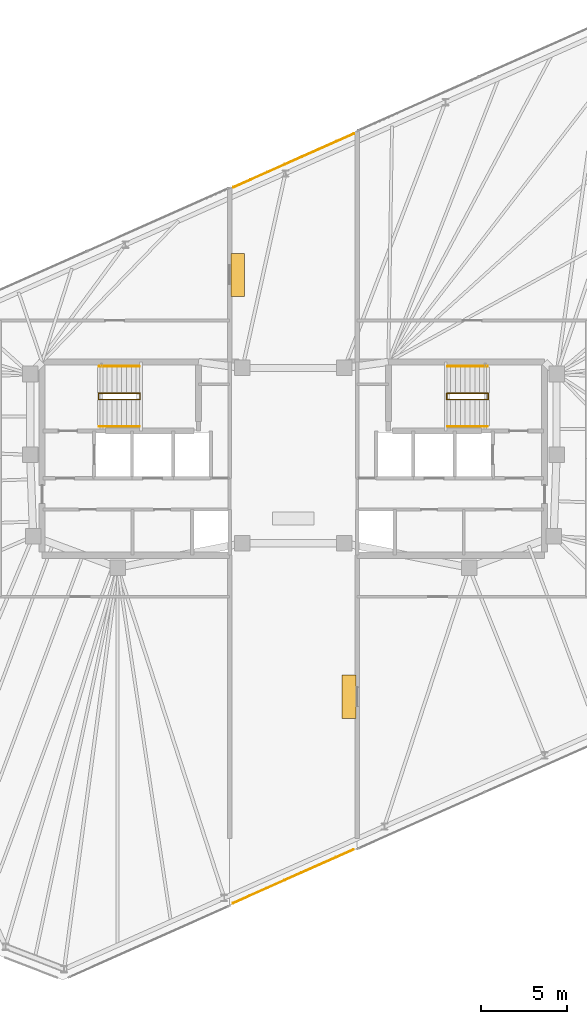
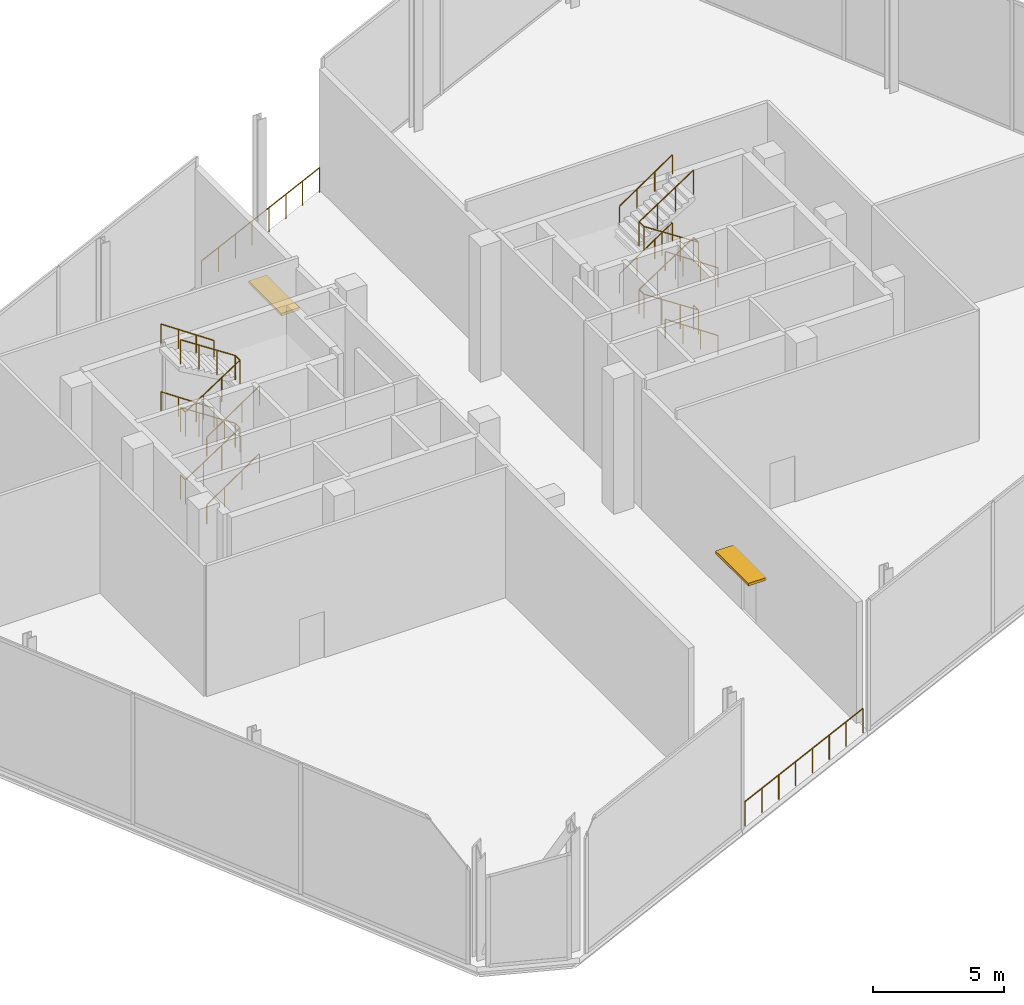
# One storey, part 16 of 16: 14 railings, 2 shading devices.
"""IFC4 building model written with IfcOpenShell, lengths in metres."""

from ifc_helpers import new_model, si_unit, direction, frame, origin, origin_2d, place, context, subcontext, project, spatial, rectangle, circle, extrude, material, layer, layer_set, type_object, element, save


model = new_model("IFC4")

# Units and contexts
model_context = context("Model", 3, precision=1e-05, world=origin(), true_north=direction((0.0, 1.0)))
body_context = subcontext(model_context, "Body", "Model", "MODEL_VIEW")
ifc_project = project(units=[si_unit("LENGTHUNIT", "METRE"), si_unit("AREAUNIT", "SQUARE_METRE"), si_unit("VOLUMEUNIT", "CUBIC_METRE"), si_unit("PLANEANGLEUNIT", "RADIAN"), si_unit("MASSUNIT", "GRAM", prefix="KILO")], contexts=[model_context])

# Site, building, storey
site_placement = place(None, origin())
site = spatial("IfcSite", under=ifc_project, at=site_placement, CompositionType="ELEMENT")
building_placement = place(site_placement, origin())
building = spatial("IfcBuilding", under=site, at=building_placement, Name="Menara Jurai Vektor", CompositionType="ELEMENT")
storey_placement = place(building_placement, frame((0.0, 0.0, 275.60009765625)))
storey = spatial("IfcBuildingStorey", under=building, at=storey_placement, Name="L74", CompositionType="ELEMENT", Elevation=275.60009765625)

# Railings
ifc_material_1 = material(Name="Anodised Pale Aluminium & Laminated Glass Guardrail", Category="aluminium")
ifc_layer = layer(ifc_material_1, 0.070068359375)
ifc_layer_set = layer_set([ifc_layer], Name="Anodised Pale Aluminium & Laminated Glass Guardrail")
railing_type_1 = type_object("IfcRailingType", Name="ENV-RAIL-TER115", PredefinedType="GUARDRAIL", material=ifc_layer_set)
railing_1_placement = place(storey_placement, frame((3.50439453125, 18.82421875, 0.0)))
element("IfcRailing", 1, at=railing_1_placement, inside=storey, type_object=railing_type_1, Name="Spiral Terrace Guardrail L74-PORTAL-01", PredefinedType="GUARDRAIL", context=body_context, shape_type="SweptSolid", body=[
    extrude(circle(Radius=0.02392578125, at=origin_2d()), frame((0.0, 0.0, 1.1259765625), z_axis=(-0.913542517891, -0.406743245801, 0.0), x_axis=(0.406743245801, -0.913542517891, 0.0)), (0.0, 0.0, 1.0), 7.6396484375),
    extrude(circle(Radius=0.02099609375, at=origin_2d()), origin(), (0.0, 0.0, 1.0), 1.101806640625),
    extrude(circle(Radius=0.02099609375, at=origin_2d()), frame((-0.9970703125, -0.44384765625, 0.0)), (0.0, 0.0, 1.0), 1.101806640625),
    extrude(circle(Radius=0.02099609375, at=origin_2d()), frame((-1.994140625, -0.887939453125, 0.0)), (0.0, 0.0, 1.0), 1.101806640625),
    extrude(circle(Radius=0.02099609375, at=origin_2d()), frame((-2.9912109375, -1.331787109375, 0.0)), (0.0, 0.0, 1.0), 1.101806640625),
    extrude(circle(Radius=0.02099609375, at=origin_2d()), frame((-3.988037109375, -1.775634765625, 0.0)), (0.0, 0.0, 1.0), 1.101806640625),
    extrude(circle(Radius=0.02099609375, at=origin_2d()), frame((-4.985107421875, -2.219482421875, 0.0)), (0.0, 0.0, 1.0), 1.101806640625),
    extrude(circle(Radius=0.02099609375, at=origin_2d()), frame((-5.982177734375, -2.66357421875, 0.0)), (0.0, 0.0, 1.0), 1.101806640625),
    extrude(circle(Radius=0.02099609375, at=origin_2d()), frame((-6.979248046875, -3.107421875, 0.0)), (0.0, 0.0, 1.0), 1.101806640625),
])
railing_2_placement = place(storey_placement, frame((-3.50439453125, -25.76123046875, 0.0)))
element("IfcRailing", 2, at=railing_2_placement, inside=storey, type_object=railing_type_1, Name="Spiral Terrace Guardrail L74-PORTAL-02", PredefinedType="GUARDRAIL", context=body_context, shape_type="SweptSolid", body=[
    extrude(circle(Radius=0.02392578125, at=origin_2d()), frame((0.0, 0.0, 1.1259765625), z_axis=(0.913542517891, 0.406743245801, 0.0), x_axis=(-0.406743245801, 0.913542517891, 0.0)), (0.0, 0.0, 1.0), 7.6396484375),
    extrude(circle(Radius=0.02099609375, at=origin_2d()), origin(), (0.0, 0.0, 1.0), 1.101806640625),
    extrude(circle(Radius=0.02099609375, at=origin_2d()), frame((0.9970703125, 0.44384765625, 0.0)), (0.0, 0.0, 1.0), 1.101806640625),
    extrude(circle(Radius=0.02099609375, at=origin_2d()), frame((1.994140625, 0.887939453125, 0.0)), (0.0, 0.0, 1.0), 1.101806640625),
    extrude(circle(Radius=0.02099609375, at=origin_2d()), frame((2.9912109375, 1.331787109375, 0.0)), (0.0, 0.0, 1.0), 1.101806640625),
    extrude(circle(Radius=0.02099609375, at=origin_2d()), frame((3.988037109375, 1.775634765625, 0.0)), (0.0, 0.0, 1.0), 1.101806640625),
    extrude(circle(Radius=0.02099609375, at=origin_2d()), frame((4.985107421875, 2.219482421875, 0.0)), (0.0, 0.0, 1.0), 1.101806640625),
    extrude(circle(Radius=0.02099609375, at=origin_2d()), frame((5.982177734375, 2.66357421875, 0.0)), (0.0, 0.0, 1.0), 1.101806640625),
    extrude(circle(Radius=0.02099609375, at=origin_2d()), frame((6.979248046875, 3.107421875, 0.0)), (0.0, 0.0, 1.0), 1.101806640625),
])

# Shading devices
ifc_material_2 = material(Name="Anodised Pale Aluminium Sunshade Blade", Category="aluminium")
shading_device_type = type_object("IfcShadingDeviceType", Name="ENV-SHD-SUNSHADE", PredefinedType="USERDEFINED", material=ifc_material_2)
for number, where, z_axis, x_axis, name in (
    (3, (-3.219970703125, 10.64111328125, 2.43994140625), (0.0, 0.0, 1.0), (0.0, 1.0, 0.0), "Doorway Pale-Metal Sunshade L74-WP1"),
    (4, (3.219970703125, -13.800048828125, 2.43994140625), (0.0, 0.0, 1.0), (0.0, 1.0, 0.0), "Doorway Pale-Metal Sunshade L74-WP2"),
):
    element("IfcShadingDevice", number, at=place(storey_placement, frame(where, z_axis=z_axis, x_axis=x_axis)), inside=storey, type_object=shading_device_type, Name=name, ObjectType="SUNSHADE", PredefinedType="USERDEFINED", context=body_context, shape_type="SweptSolid", body=[
        extrude(rectangle(XDim=2.5, YDim=0.800048828125, at=origin_2d()), origin(), (0.0, 0.0, 1.0), 0.1201171875),
    ])

# Railings
ifc_material_3 = material(Name="Painted Galvanised Steel Balustrade", Category="steel")
railing_type_2 = type_object("IfcRailingType", Name="RAIL-STAIR-GUARD", PredefinedType="GUARDRAIL", material=ifc_material_3)
railing_3_placement = place(storey_placement, frame((-11.2900390625, 3.780029296875, 0.0)))
element("IfcRailing", 5, at=railing_3_placement, inside=storey, type_object=railing_type_2, Name="ST1 Stair Guardrail 1 L74", PredefinedType="GUARDRAIL", context=body_context, shape_type="SweptSolid", body=[
    extrude(circle(Radius=0.02392578125, at=origin_2d()), frame((0.0, 0.0, 1.1259765625), z_axis=(0.0, -1.0, 0.0), x_axis=(1.0, 0.0, 0.0)), (0.0, 0.0, 1.0), 0.360107421875),
    extrude(circle(Radius=0.02392578125, at=origin_2d()), frame((0.0, -0.360107421875, 1.1259765625), z_axis=(0.836071072344, 0.0, 0.548621146139), x_axis=(0.0, 1.0, 0.0)), (0.0, 0.0, 1.0), 2.870849609375),
    extrude(circle(Radius=0.02392578125, at=origin_2d()), frame((2.400146484375, -0.360107421875, 2.70068359375), z_axis=(0.0, 1.0, 0.0), x_axis=(-1.0, 0.0, 0.0)), (0.0, 0.0, 1.0), 0.360107421875),
    extrude(circle(Radius=0.02392578125, at=origin_2d()), frame((2.400146484375, 0.0, 2.70068359375), z_axis=(-0.836071072344, 0.0, 0.548621146139), x_axis=(0.0, -1.0, 0.0)), (0.0, 0.0, 1.0), 2.870849609375),
    extrude(circle(Radius=0.02099609375, at=origin_2d()), origin(), (0.0, 0.0, 1.0), 1.101806640625),
    extrude(circle(Radius=0.02099609375, at=origin_2d()), frame((0.0, -0.360107421875, 0.0)), (0.0, 0.0, 1.0), 1.101806640625),
    extrude(circle(Radius=0.02099609375, at=origin_2d()), frame((0.800048828125, -0.360107421875, 0.52490234375)), (0.0, 0.0, 1.0), 1.101806640625),
    extrude(circle(Radius=0.02099609375, at=origin_2d()), frame((1.60009765625, -0.360107421875, 1.050048828125)), (0.0, 0.0, 1.0), 1.101806640625),
    extrude(circle(Radius=0.02099609375, at=origin_2d()), frame((2.400146484375, -0.360107421875, 1.574951171875)), (0.0, 0.0, 1.0), 1.101806640625),
    extrude(circle(Radius=0.02099609375, at=origin_2d()), frame((2.400146484375, 0.0, 1.574951171875)), (0.0, 0.0, 1.0), 1.101806640625),
    extrude(circle(Radius=0.02099609375, at=origin_2d()), frame((1.60009765625, 0.0, 2.099853515625)), (0.0, 0.0, 1.0), 1.101806640625),
    extrude(circle(Radius=0.02099609375, at=origin_2d()), frame((0.800048828125, 0.0, 2.625)), (0.0, 0.0, 1.0), 1.101806640625),
    extrude(circle(Radius=0.02099609375, at=origin_2d()), frame((0.0, 0.0, 3.14990234375)), (0.0, 0.0, 1.0), 1.101806640625),
])
railing_4_placement = place(storey_placement, frame((-11.2900390625, 3.780029296875, 3.14990234375)))
element("IfcRailing", 6, at=railing_4_placement, inside=storey, type_object=railing_type_2, Name="ST1 Stair Guardrail 2 L74", PredefinedType="GUARDRAIL", context=body_context, shape_type="SweptSolid", body=[
    extrude(circle(Radius=0.02392578125, at=origin_2d()), frame((0.0, 0.0, 1.1259765625), z_axis=(0.0, -1.0, 0.0), x_axis=(1.0, 0.0, 0.0)), (0.0, 0.0, 1.0), 0.360107421875),
    extrude(circle(Radius=0.02392578125, at=origin_2d()), frame((0.0, -0.360107421875, 1.1259765625), z_axis=(0.836071072344, 0.0, 0.548621146139), x_axis=(0.0, 1.0, 0.0)), (0.0, 0.0, 1.0), 2.870849609375),
    extrude(circle(Radius=0.02392578125, at=origin_2d()), frame((2.400146484375, -0.360107421875, 2.70068359375), z_axis=(0.0, 1.0, 0.0), x_axis=(-1.0, 0.0, 0.0)), (0.0, 0.0, 1.0), 0.360107421875),
    extrude(circle(Radius=0.02392578125, at=origin_2d()), frame((2.400146484375, 0.0, 2.70068359375), z_axis=(-0.836071072344, 0.0, 0.548621146139), x_axis=(0.0, -1.0, 0.0)), (0.0, 0.0, 1.0), 2.870849609375),
    extrude(circle(Radius=0.02099609375, at=origin_2d()), origin(), (0.0, 0.0, 1.0), 1.101806640625),
    extrude(circle(Radius=0.02099609375, at=origin_2d()), frame((0.0, -0.360107421875, 0.0)), (0.0, 0.0, 1.0), 1.101806640625),
    extrude(circle(Radius=0.02099609375, at=origin_2d()), frame((0.800048828125, -0.360107421875, 0.52490234375)), (0.0, 0.0, 1.0), 1.101806640625),
    extrude(circle(Radius=0.02099609375, at=origin_2d()), frame((1.60009765625, -0.360107421875, 1.050048828125)), (0.0, 0.0, 1.0), 1.101806640625),
    extrude(circle(Radius=0.02099609375, at=origin_2d()), frame((2.400146484375, -0.360107421875, 1.574951171875)), (0.0, 0.0, 1.0), 1.101806640625),
    extrude(circle(Radius=0.02099609375, at=origin_2d()), frame((2.400146484375, 0.0, 1.574951171875)), (0.0, 0.0, 1.0), 1.101806640625),
    extrude(circle(Radius=0.02099609375, at=origin_2d()), frame((1.60009765625, 0.0, 2.099853515625)), (0.0, 0.0, 1.0), 1.101806640625),
    extrude(circle(Radius=0.02099609375, at=origin_2d()), frame((0.800048828125, 0.0, 2.625)), (0.0, 0.0, 1.0), 1.101806640625),
    extrude(circle(Radius=0.02099609375, at=origin_2d()), frame((0.0, 0.0, 3.14990234375)), (0.0, 0.0, 1.0), 1.101806640625),
])
railing_5_placement = place(storey_placement, frame((11.2900390625, 3.780029296875, 0.0)))
element("IfcRailing", 7, at=railing_5_placement, inside=storey, type_object=railing_type_2, Name="ST2 Stair Guardrail 1 L74", PredefinedType="GUARDRAIL", context=body_context, shape_type="SweptSolid", body=[
    extrude(circle(Radius=0.02392578125, at=origin_2d()), frame((0.0, 0.0, 1.1259765625), z_axis=(0.0, -1.0, 0.0), x_axis=(1.0, 0.0, 0.0)), (0.0, 0.0, 1.0), 0.360107421875),
    extrude(circle(Radius=0.02392578125, at=origin_2d()), frame((0.0, -0.360107421875, 1.1259765625), z_axis=(-0.836071072344, 0.0, 0.548621146139), x_axis=(0.0, -1.0, 0.0)), (0.0, 0.0, 1.0), 2.870849609375),
    extrude(circle(Radius=0.02392578125, at=origin_2d()), frame((-2.400146484375, -0.360107421875, 2.70068359375), z_axis=(0.0, 1.0, 0.0), x_axis=(-1.0, 0.0, 0.0)), (0.0, 0.0, 1.0), 0.360107421875),
    extrude(circle(Radius=0.02392578125, at=origin_2d()), frame((-2.400146484375, 0.0, 2.70068359375), z_axis=(0.836071072344, 0.0, 0.548621146139), x_axis=(0.0, 1.0, 0.0)), (0.0, 0.0, 1.0), 2.870849609375),
    extrude(circle(Radius=0.02099609375, at=origin_2d()), origin(), (0.0, 0.0, 1.0), 1.101806640625),
    extrude(circle(Radius=0.02099609375, at=origin_2d()), frame((0.0, -0.360107421875, 0.0)), (0.0, 0.0, 1.0), 1.101806640625),
    extrude(circle(Radius=0.02099609375, at=origin_2d()), frame((-0.800048828125, -0.360107421875, 0.52490234375)), (0.0, 0.0, 1.0), 1.101806640625),
    extrude(circle(Radius=0.02099609375, at=origin_2d()), frame((-1.60009765625, -0.360107421875, 1.050048828125)), (0.0, 0.0, 1.0), 1.101806640625),
    extrude(circle(Radius=0.02099609375, at=origin_2d()), frame((-2.400146484375, -0.360107421875, 1.574951171875)), (0.0, 0.0, 1.0), 1.101806640625),
    extrude(circle(Radius=0.02099609375, at=origin_2d()), frame((-2.400146484375, 0.0, 1.574951171875)), (0.0, 0.0, 1.0), 1.101806640625),
    extrude(circle(Radius=0.02099609375, at=origin_2d()), frame((-1.60009765625, 0.0, 2.099853515625)), (0.0, 0.0, 1.0), 1.101806640625),
    extrude(circle(Radius=0.02099609375, at=origin_2d()), frame((-0.800048828125, 0.0, 2.625)), (0.0, 0.0, 1.0), 1.101806640625),
    extrude(circle(Radius=0.02099609375, at=origin_2d()), frame((0.0, 0.0, 3.14990234375)), (0.0, 0.0, 1.0), 1.101806640625),
])
railing_6_placement = place(storey_placement, frame((11.2900390625, 3.780029296875, 3.14990234375)))
element("IfcRailing", 8, at=railing_6_placement, inside=storey, type_object=railing_type_2, Name="ST2 Stair Guardrail 2 L74", PredefinedType="GUARDRAIL", context=body_context, shape_type="SweptSolid", body=[
    extrude(circle(Radius=0.02392578125, at=origin_2d()), frame((0.0, 0.0, 1.1259765625), z_axis=(0.0, -1.0, 0.0), x_axis=(1.0, 0.0, 0.0)), (0.0, 0.0, 1.0), 0.360107421875),
    extrude(circle(Radius=0.02392578125, at=origin_2d()), frame((0.0, -0.360107421875, 1.1259765625), z_axis=(-0.836071072344, 0.0, 0.548621146139), x_axis=(0.0, -1.0, 0.0)), (0.0, 0.0, 1.0), 2.870849609375),
    extrude(circle(Radius=0.02392578125, at=origin_2d()), frame((-2.400146484375, -0.360107421875, 2.70068359375), z_axis=(0.0, 1.0, 0.0), x_axis=(-1.0, 0.0, 0.0)), (0.0, 0.0, 1.0), 0.360107421875),
    extrude(circle(Radius=0.02392578125, at=origin_2d()), frame((-2.400146484375, 0.0, 2.70068359375), z_axis=(0.836071072344, 0.0, 0.548621146139), x_axis=(0.0, 1.0, 0.0)), (0.0, 0.0, 1.0), 2.870849609375),
    extrude(circle(Radius=0.02099609375, at=origin_2d()), origin(), (0.0, 0.0, 1.0), 1.101806640625),
    extrude(circle(Radius=0.02099609375, at=origin_2d()), frame((0.0, -0.360107421875, 0.0)), (0.0, 0.0, 1.0), 1.101806640625),
    extrude(circle(Radius=0.02099609375, at=origin_2d()), frame((-0.800048828125, -0.360107421875, 0.52490234375)), (0.0, 0.0, 1.0), 1.101806640625),
    extrude(circle(Radius=0.02099609375, at=origin_2d()), frame((-1.60009765625, -0.360107421875, 1.050048828125)), (0.0, 0.0, 1.0), 1.101806640625),
    extrude(circle(Radius=0.02099609375, at=origin_2d()), frame((-2.400146484375, -0.360107421875, 1.574951171875)), (0.0, 0.0, 1.0), 1.101806640625),
    extrude(circle(Radius=0.02099609375, at=origin_2d()), frame((-2.400146484375, 0.0, 1.574951171875)), (0.0, 0.0, 1.0), 1.101806640625),
    extrude(circle(Radius=0.02099609375, at=origin_2d()), frame((-1.60009765625, 0.0, 2.099853515625)), (0.0, 0.0, 1.0), 1.101806640625),
    extrude(circle(Radius=0.02099609375, at=origin_2d()), frame((-0.800048828125, 0.0, 2.625)), (0.0, 0.0, 1.0), 1.101806640625),
    extrude(circle(Radius=0.02099609375, at=origin_2d()), frame((0.0, 0.0, 3.14990234375)), (0.0, 0.0, 1.0), 1.101806640625),
])
ifc_material_4 = material(Name="Brushed Stainless Steel Handrail", Category="steel")
railing_type_3 = type_object("IfcRailingType", Name="RAIL-STAIR-HAND", PredefinedType="HANDRAIL", material=ifc_material_4)
railing_7_placement = place(storey_placement, frame((-11.25, 1.860107421875, 0.0)))
element("IfcRailing", 9, at=railing_7_placement, inside=storey, type_object=railing_type_3, Name="ST1 Stair Handrail 1 L74", PredefinedType="HANDRAIL", context=body_context, shape_type="SweptSolid", body=[
    extrude(circle(Radius=0.02392578125, at=origin_2d()), frame((0.0, 0.0, 0.89599609375), z_axis=(0.82737318425, 0.0, 0.561652574092), x_axis=(0.0, 1.0, 0.0)), (0.0, 0.0, 1.0), 2.80419921875),
    extrude(circle(Radius=0.02099609375, at=origin_2d()), origin(), (0.0, 0.0, 1.0), 0.871826171875),
    extrude(circle(Radius=0.02099609375, at=origin_2d()), frame((0.7734375, 0.0, 0.52490234375)), (0.0, 0.0, 1.0), 0.871826171875),
    extrude(circle(Radius=0.02099609375, at=origin_2d()), frame((1.546630859375, 0.0, 1.050048828125)), (0.0, 0.0, 1.0), 0.871826171875),
    extrude(circle(Radius=0.02099609375, at=origin_2d()), frame((2.320068359375, 0.0, 1.574951171875)), (0.0, 0.0, 1.0), 0.871826171875),
])
railing_8_placement = place(storey_placement, frame((-8.929931640625, 5.340087890625, 1.574951171875)))
element("IfcRailing", 10, at=railing_8_placement, inside=storey, type_object=railing_type_3, Name="ST1 Stair Handrail 2 L74", PredefinedType="HANDRAIL", context=body_context, shape_type="SweptSolid", body=[
    extrude(circle(Radius=0.02392578125, at=origin_2d()), frame((0.0, 0.0, 0.89599609375), z_axis=(-0.82737318425, 0.0, 0.561652574092), x_axis=(0.0, -1.0, 0.0)), (0.0, 0.0, 1.0), 2.80419921875),
    extrude(circle(Radius=0.02099609375, at=origin_2d()), origin(), (0.0, 0.0, 1.0), 0.871826171875),
    extrude(circle(Radius=0.02099609375, at=origin_2d()), frame((-0.7734375, 0.0, 0.52490234375)), (0.0, 0.0, 1.0), 0.871826171875),
    extrude(circle(Radius=0.02099609375, at=origin_2d()), frame((-1.546630859375, 0.0, 1.050048828125)), (0.0, 0.0, 1.0), 0.871826171875),
    extrude(circle(Radius=0.02099609375, at=origin_2d()), frame((-2.320068359375, 0.0, 1.574951171875)), (0.0, 0.0, 1.0), 0.871826171875),
])
railing_9_placement = place(storey_placement, frame((-11.25, 1.860107421875, 3.14990234375)))
element("IfcRailing", 11, at=railing_9_placement, inside=storey, type_object=railing_type_3, Name="ST1 Stair Handrail 3 L74", PredefinedType="HANDRAIL", context=body_context, shape_type="SweptSolid", body=[
    extrude(circle(Radius=0.02392578125, at=origin_2d()), frame((0.0, 0.0, 0.89599609375), z_axis=(0.82737318425, 0.0, 0.561652574092), x_axis=(0.0, 1.0, 0.0)), (0.0, 0.0, 1.0), 2.80419921875),
    extrude(circle(Radius=0.02099609375, at=origin_2d()), origin(), (0.0, 0.0, 1.0), 0.871826171875),
    extrude(circle(Radius=0.02099609375, at=origin_2d()), frame((0.7734375, 0.0, 0.52490234375)), (0.0, 0.0, 1.0), 0.871826171875),
    extrude(circle(Radius=0.02099609375, at=origin_2d()), frame((1.546630859375, 0.0, 1.050048828125)), (0.0, 0.0, 1.0), 0.871826171875),
    extrude(circle(Radius=0.02099609375, at=origin_2d()), frame((2.320068359375, 0.0, 1.574951171875)), (0.0, 0.0, 1.0), 0.871826171875),
])
for number, where, name in (
    (12, (-8.929931640625, 5.340087890625, 4.724853515625), "ST1 Stair Handrail 4 L74"),
    (13, (11.25, 1.860107421875, 0.0), "ST2 Stair Handrail 1 L74"),
):
    element("IfcRailing", number, at=place(storey_placement, frame(where)), inside=storey, type_object=railing_type_3, Name=name, PredefinedType="HANDRAIL", context=body_context, shape_type="SweptSolid", body=[
        extrude(circle(Radius=0.02392578125, at=origin_2d()), frame((0.0, 0.0, 0.89599609375), z_axis=(-0.82737318425, 0.0, 0.561652574092), x_axis=(0.0, -1.0, 0.0)), (0.0, 0.0, 1.0), 2.80419921875),
        extrude(circle(Radius=0.02099609375, at=origin_2d()), origin(), (0.0, 0.0, 1.0), 0.871826171875),
        extrude(circle(Radius=0.02099609375, at=origin_2d()), frame((-0.7734375, 0.0, 0.52490234375)), (0.0, 0.0, 1.0), 0.871826171875),
        extrude(circle(Radius=0.02099609375, at=origin_2d()), frame((-1.546630859375, 0.0, 1.050048828125)), (0.0, 0.0, 1.0), 0.871826171875),
        extrude(circle(Radius=0.02099609375, at=origin_2d()), frame((-2.320068359375, 0.0, 1.574951171875)), (0.0, 0.0, 1.0), 0.871826171875),
    ])
railing_10_placement = place(storey_placement, frame((8.929931640625, 5.340087890625, 1.574951171875)))
element("IfcRailing", 14, at=railing_10_placement, inside=storey, type_object=railing_type_3, Name="ST2 Stair Handrail 2 L74", PredefinedType="HANDRAIL", context=body_context, shape_type="SweptSolid", body=[
    extrude(circle(Radius=0.02392578125, at=origin_2d()), frame((0.0, 0.0, 0.89599609375), z_axis=(0.82737318425, 0.0, 0.561652574092), x_axis=(0.0, 1.0, 0.0)), (0.0, 0.0, 1.0), 2.80419921875),
    extrude(circle(Radius=0.02099609375, at=origin_2d()), origin(), (0.0, 0.0, 1.0), 0.871826171875),
    extrude(circle(Radius=0.02099609375, at=origin_2d()), frame((0.7734375, 0.0, 0.52490234375)), (0.0, 0.0, 1.0), 0.871826171875),
    extrude(circle(Radius=0.02099609375, at=origin_2d()), frame((1.546630859375, 0.0, 1.050048828125)), (0.0, 0.0, 1.0), 0.871826171875),
    extrude(circle(Radius=0.02099609375, at=origin_2d()), frame((2.320068359375, 0.0, 1.574951171875)), (0.0, 0.0, 1.0), 0.871826171875),
])
railing_11_placement = place(storey_placement, frame((11.25, 1.860107421875, 3.14990234375)))
element("IfcRailing", 15, at=railing_11_placement, inside=storey, type_object=railing_type_3, Name="ST2 Stair Handrail 3 L74", PredefinedType="HANDRAIL", context=body_context, shape_type="SweptSolid", body=[
    extrude(circle(Radius=0.02392578125, at=origin_2d()), frame((0.0, 0.0, 0.89599609375), z_axis=(-0.82737318425, 0.0, 0.561652574092), x_axis=(0.0, -1.0, 0.0)), (0.0, 0.0, 1.0), 2.80419921875),
    extrude(circle(Radius=0.02099609375, at=origin_2d()), origin(), (0.0, 0.0, 1.0), 0.871826171875),
    extrude(circle(Radius=0.02099609375, at=origin_2d()), frame((-0.7734375, 0.0, 0.52490234375)), (0.0, 0.0, 1.0), 0.871826171875),
    extrude(circle(Radius=0.02099609375, at=origin_2d()), frame((-1.546630859375, 0.0, 1.050048828125)), (0.0, 0.0, 1.0), 0.871826171875),
    extrude(circle(Radius=0.02099609375, at=origin_2d()), frame((-2.320068359375, 0.0, 1.574951171875)), (0.0, 0.0, 1.0), 0.871826171875),
])
railing_12_placement = place(storey_placement, frame((8.929931640625, 5.340087890625, 4.724853515625)))
element("IfcRailing", 16, at=railing_12_placement, inside=storey, type_object=railing_type_3, Name="ST2 Stair Handrail 4 L74", PredefinedType="HANDRAIL", context=body_context, shape_type="SweptSolid", body=[
    extrude(circle(Radius=0.02392578125, at=origin_2d()), frame((0.0, 0.0, 0.89599609375), z_axis=(0.82737318425, 0.0, 0.561652574092), x_axis=(0.0, 1.0, 0.0)), (0.0, 0.0, 1.0), 2.80419921875),
    extrude(circle(Radius=0.02099609375, at=origin_2d()), origin(), (0.0, 0.0, 1.0), 0.871826171875),
    extrude(circle(Radius=0.02099609375, at=origin_2d()), frame((0.7734375, 0.0, 0.52490234375)), (0.0, 0.0, 1.0), 0.871826171875),
    extrude(circle(Radius=0.02099609375, at=origin_2d()), frame((1.546630859375, 0.0, 1.050048828125)), (0.0, 0.0, 1.0), 0.871826171875),
    extrude(circle(Radius=0.02099609375, at=origin_2d()), frame((2.320068359375, 0.0, 1.574951171875)), (0.0, 0.0, 1.0), 0.871826171875),
])

save(model, "model.ifc")
